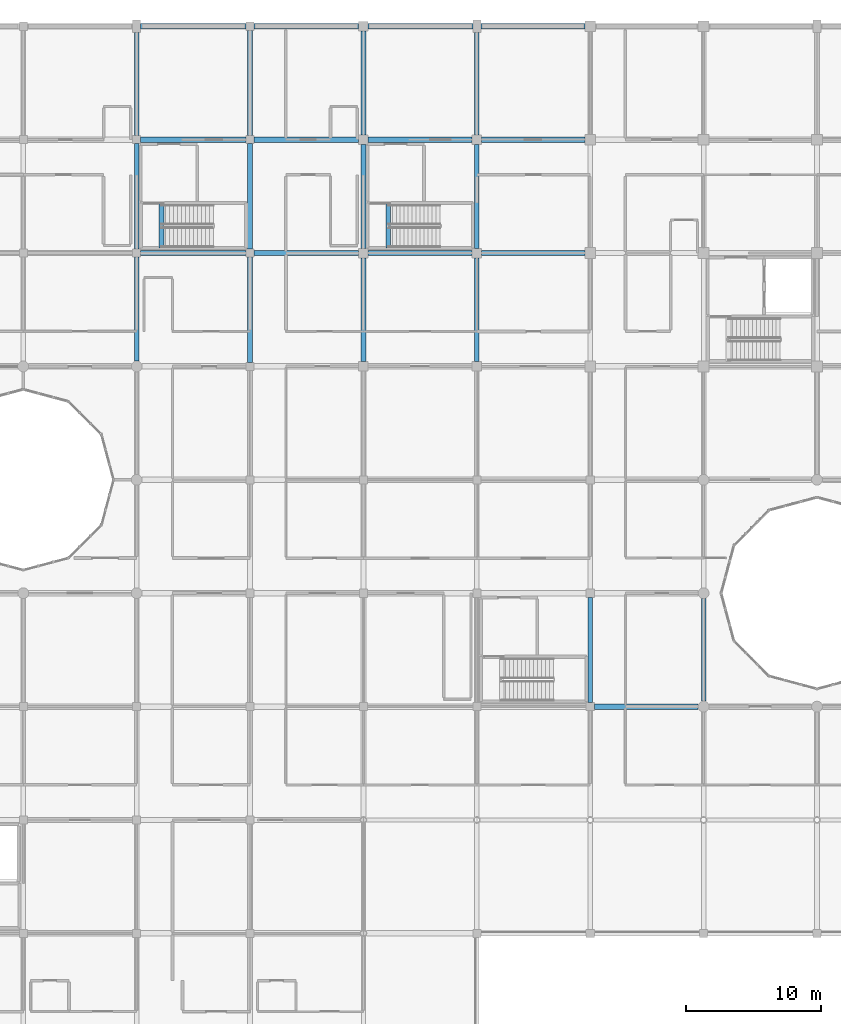
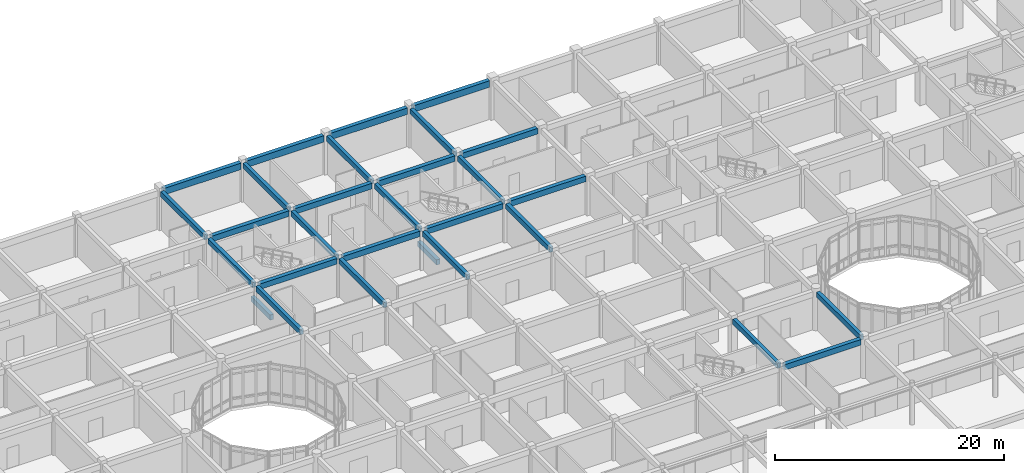
# One storey, part 43 of 144: 29 beams.
"""IFC4 building model written with IfcOpenShell, lengths in metres."""

from ifc_helpers import new_model, si_unit, direction, frame, origin, origin_2d, place, context, subcontext, project, spatial, rectangle, extrude, material, material_profile, profile_set, type_object, element, save


model = new_model("IFC4")

# Units and contexts
model_context = context("Model", 3, precision=1e-05, world=origin(), true_north=direction((0.0, 1.0)))
body_context = subcontext(model_context, "Body", "Model", "MODEL_VIEW")
ifc_project = project(units=[si_unit("LENGTHUNIT", "METRE"), si_unit("AREAUNIT", "SQUARE_METRE"), si_unit("VOLUMEUNIT", "CUBIC_METRE"), si_unit("PLANEANGLEUNIT", "RADIAN"), si_unit("MASSUNIT", "GRAM", prefix="KILO")], contexts=[model_context])

# Site, building, storey
site_placement = place(None, origin())
site = spatial("IfcSite", under=ifc_project, at=site_placement, CompositionType="ELEMENT")
building_placement = place(site_placement, origin())
building = spatial("IfcBuilding", under=site, at=building_placement, Name="Bramfleet General Hospital", CompositionType="ELEMENT")
storey_placement = place(building_placement, frame((0.0, 0.0, 4.800048828125)))
storey = spatial("IfcBuildingStorey", under=building, at=storey_placement, Name="L01", CompositionType="ELEMENT", Elevation=4.800048828125)

# Beams
ifc_material = material(Name="Concrete C35/45", Category="concrete")
ifc_material_profile_1 = material_profile(ifc_material, rectangle(XDim=0.35009765625, YDim=0.550048828125, at=origin_2d()), Name="RC BM 550x350")
ifc_profile_set_1 = profile_set([ifc_material_profile_1], Name="Concrete C35/45")
beam_type_1 = type_object("IfcBeamType", Name="BM-RC550", PredefinedType="BEAM", material=ifc_profile_set_1)
beam_1_placement = place(storey_placement, frame((33.60009765625, 92.800048828125, 3.875), z_axis=(0.0, 1.0, 0.0), x_axis=(-1.0, 0.0, 0.0)))
element("IfcBeam", 1, at=beam_1_placement, inside=storey, type_object=beam_type_1, Name="L01 Grid Beam Y 04-11", PredefinedType="BEAM", context=body_context, shape_type="SweptSolid", body=[
    extrude(rectangle(XDim=0.35009765625, YDim=0.550048828125, at=origin_2d()), origin(), (0.0, 0.0, 1.0), 7.699951171875),
])
beam_2_placement = place(storey_placement, frame((33.60009765625, 101.10009765625, 3.875), z_axis=(0.0, 1.0, 0.0), x_axis=(-1.0, 0.0, 0.0)))
element("IfcBeam", 2, at=beam_2_placement, inside=storey, type_object=beam_type_1, Name="L01 Grid Beam Y 04-12", PredefinedType="BEAM", context=body_context, shape_type="SweptSolid", body=[
    extrude(rectangle(XDim=0.35009765625, YDim=0.550048828125, at=origin_2d()), origin(), (0.0, 0.0, 1.0), 7.7998046875),
])
beam_3_placement = place(storey_placement, frame((33.60009765625, 109.5, 3.875), z_axis=(0.0, 1.0, 0.0), x_axis=(-1.0, 0.0, 0.0)))
element("IfcBeam", 3, at=beam_3_placement, inside=storey, type_object=beam_type_1, Name="L01 Grid Beam Y 04-13", PredefinedType="BEAM", context=body_context, shape_type="SweptSolid", body=[
    extrude(rectangle(XDim=0.35009765625, YDim=0.550048828125, at=origin_2d()), origin(), (0.0, 0.0, 1.0), 7.64990234375),
])
beam_4_placement = place(storey_placement, frame((42.0, 92.699951171875, 3.875), z_axis=(0.0, 1.0, 0.0), x_axis=(-1.0, 0.0, 0.0)))
element("IfcBeam", 4, at=beam_4_placement, inside=storey, type_object=beam_type_1, Name="L01 Grid Beam Y 05-11", PredefinedType="BEAM", context=body_context, shape_type="SweptSolid", body=[
    extrude(rectangle(XDim=0.35009765625, YDim=0.550048828125, at=origin_2d()), origin(), (0.0, 0.0, 1.0), 7.800048828125),
])
beam_5_placement = place(storey_placement, frame((42.0, 101.10009765625, 3.875), z_axis=(0.0, 1.0, 0.0), x_axis=(-1.0, 0.0, 0.0)))
element("IfcBeam", 5, at=beam_5_placement, inside=storey, type_object=beam_type_1, Name="L01 Grid Beam Y 05-12", PredefinedType="BEAM", context=body_context, shape_type="SweptSolid", body=[
    extrude(rectangle(XDim=0.35009765625, YDim=0.550048828125, at=origin_2d()), origin(), (0.0, 0.0, 1.0), 7.7998046875),
])
beam_6_placement = place(storey_placement, frame((42.0, 109.5, 3.875), z_axis=(0.0, 1.0, 0.0), x_axis=(-1.0, 0.0, 0.0)))
element("IfcBeam", 6, at=beam_6_placement, inside=storey, type_object=beam_type_1, Name="L01 Grid Beam Y 05-13", PredefinedType="BEAM", context=body_context, shape_type="SweptSolid", body=[
    extrude(rectangle(XDim=0.35009765625, YDim=0.550048828125, at=origin_2d()), origin(), (0.0, 0.0, 1.0), 7.800048828125),
])
beam_7_placement = place(storey_placement, frame((50.39990234375, 92.75, 3.875), z_axis=(0.0, 1.0, 0.0), x_axis=(-1.0, 0.0, 0.0)))
element("IfcBeam", 7, at=beam_7_placement, inside=storey, type_object=beam_type_1, Name="L01 Grid Beam Y 06-11", PredefinedType="BEAM", context=body_context, shape_type="SweptSolid", body=[
    extrude(rectangle(XDim=0.35009765625, YDim=0.550048828125, at=origin_2d()), origin(), (0.0, 0.0, 1.0), 7.699951171875),
])
beam_8_placement = place(storey_placement, frame((50.39990234375, 101.14990234375, 3.875), z_axis=(0.0, 1.0, 0.0), x_axis=(-1.0, 0.0, 0.0)))
element("IfcBeam", 8, at=beam_8_placement, inside=storey, type_object=beam_type_1, Name="L01 Grid Beam Y 06-12", PredefinedType="BEAM", context=body_context, shape_type="SweptSolid", body=[
    extrude(rectangle(XDim=0.35009765625, YDim=0.550048828125, at=origin_2d()), origin(), (0.0, 0.0, 1.0), 7.7001953125),
])
for number, where, z_axis, x_axis, name in (
    (9, (50.39990234375, 109.550048828125, 3.875), (0.0, 1.0, 0.0), (-1.0, 0.0, 0.0), "L01 Grid Beam Y 06-13"),
    (10, (58.800048828125, 92.75, 3.875), (0.0, 1.0, 0.0), (-1.0, 0.0, 0.0), "L01 Grid Beam Y 07-11"),
):
    element("IfcBeam", number, at=place(storey_placement, frame(where, z_axis=z_axis, x_axis=x_axis)), inside=storey, type_object=beam_type_1, Name=name, PredefinedType="BEAM", context=body_context, shape_type="SweptSolid", body=[
        extrude(rectangle(XDim=0.35009765625, YDim=0.550048828125, at=origin_2d()), origin(), (0.0, 0.0, 1.0), 7.699951171875),
    ])
beam_9_placement = place(storey_placement, frame((58.800048828125, 101.14990234375, 3.875), z_axis=(0.0, 1.0, 0.0), x_axis=(-1.0, 0.0, 0.0)))
element("IfcBeam", 11, at=beam_9_placement, inside=storey, type_object=beam_type_1, Name="L01 Grid Beam Y 07-12", PredefinedType="BEAM", context=body_context, shape_type="SweptSolid", body=[
    extrude(rectangle(XDim=0.35009765625, YDim=0.550048828125, at=origin_2d()), origin(), (0.0, 0.0, 1.0), 7.7001953125),
])
beam_10_placement = place(storey_placement, frame((58.800048828125, 109.550048828125, 3.875), z_axis=(0.0, 1.0, 0.0), x_axis=(-1.0, 0.0, 0.0)))
element("IfcBeam", 12, at=beam_10_placement, inside=storey, type_object=beam_type_1, Name="L01 Grid Beam Y 07-13", PredefinedType="BEAM", context=body_context, shape_type="SweptSolid", body=[
    extrude(rectangle(XDim=0.35009765625, YDim=0.550048828125, at=origin_2d()), origin(), (0.0, 0.0, 1.0), 7.599853515625),
])
beam_11_placement = place(storey_placement, frame((67.199951171875, 67.5, 3.875), z_axis=(0.0, 1.0, 0.0), x_axis=(-1.0, 0.0, 0.0)))
element("IfcBeam", 13, at=beam_11_placement, inside=storey, type_object=beam_type_1, Name="L01 Grid Beam Y 08-08", PredefinedType="BEAM", context=body_context, shape_type="SweptSolid", body=[
    extrude(rectangle(XDim=0.35009765625, YDim=0.550048828125, at=origin_2d()), origin(), (0.0, 0.0, 1.0), 7.800048828125),
])
beam_12_placement = place(storey_placement, frame((75.60009765625, 67.60009765625, 3.875), z_axis=(0.0, 1.0, 0.0), x_axis=(-1.0, 0.0, 0.0)))
element("IfcBeam", 14, at=beam_12_placement, inside=storey, type_object=beam_type_1, Name="L01 Grid Beam Y 09-08", PredefinedType="BEAM", context=body_context, shape_type="SweptSolid", body=[
    extrude(rectangle(XDim=0.35009765625, YDim=0.550048828125, at=origin_2d()), origin(), (0.0, 0.0, 1.0), 7.599853515625),
])
for number, where, z_axis, x_axis, name in (
    (15, (35.43994140625, 101.179931640625, -0.275146484375), (0.0, 1.0, 0.0), (-1.0, 0.0, 0.0), "L01 C8 Stairwell Trimmer Beam"),
    (16, (52.239990234375, 101.179931640625, -0.275146484375), (0.0, 1.0, 0.0), (-1.0, 0.0, 0.0), "L01 C14 Stairwell Trimmer Beam"),
):
    element("IfcBeam", number, at=place(storey_placement, frame(where, z_axis=z_axis, x_axis=x_axis)), inside=storey, type_object=beam_type_1, Name=name, PredefinedType="BEAM", context=body_context, shape_type="SweptSolid", body=[
        extrude(rectangle(XDim=0.35009765625, YDim=0.550048828125, at=origin_2d()), origin(), (0.0, 0.0, 1.0), 3.320068359375),
    ])
ifc_material_profile_2 = material_profile(ifc_material, rectangle(XDim=0.39990234375, YDim=0.60009765625, at=origin_2d()), Name="RC BM 600x400")
ifc_profile_set_2 = profile_set([ifc_material_profile_2], Name="Concrete C35/45")
beam_type_2 = type_object("IfcBeamType", Name="BM-RC600", PredefinedType="BEAM", material=ifc_profile_set_2)
for number, where, z_axis, x_axis, name in (
    (17, (33.89990234375, 100.800048828125, 3.849853515625), (1.0, 0.0, 0.0), (0.0, 1.0, 0.0), "L01 Grid Beam X 04-12"),
    (18, (33.89990234375, 109.199951171875, 3.849853515625), (1.0, 0.0, 0.0), (0.0, 1.0, 0.0), "L01 Grid Beam X 04-13"),
):
    element("IfcBeam", number, at=place(storey_placement, frame(where, z_axis=z_axis, x_axis=x_axis)), inside=storey, type_object=beam_type_2, Name=name, PredefinedType="BEAM", context=body_context, shape_type="SweptSolid", body=[
        extrude(rectangle(XDim=0.39990234375, YDim=0.60009765625, at=origin_2d()), origin(), (0.0, 0.0, 1.0), 7.800048828125),
    ])
for number, where, z_axis, x_axis, name in (
    (19, (42.300048828125, 100.800048828125, 3.849853515625), (1.0, 0.0, 0.0), (0.0, 1.0, 0.0), "L01 Grid Beam X 05-12"),
    (20, (42.300048828125, 109.199951171875, 3.849853515625), (1.0, 0.0, 0.0), (0.0, 1.0, 0.0), "L01 Grid Beam X 05-13"),
):
    element("IfcBeam", number, at=place(storey_placement, frame(where, z_axis=z_axis, x_axis=x_axis)), inside=storey, type_object=beam_type_2, Name=name, PredefinedType="BEAM", context=body_context, shape_type="SweptSolid", body=[
        extrude(rectangle(XDim=0.39990234375, YDim=0.60009765625, at=origin_2d()), origin(), (0.0, 0.0, 1.0), 7.75),
    ])
for number, where, z_axis, x_axis, name in (
    (21, (50.75, 100.800048828125, 3.849853515625), (1.0, 0.0, 0.0), (0.0, 1.0, 0.0), "L01 Grid Beam X 06-12"),
    (22, (50.75, 109.199951171875, 3.849853515625), (1.0, 0.0, 0.0), (0.0, 1.0, 0.0), "L01 Grid Beam X 06-13"),
):
    element("IfcBeam", number, at=place(storey_placement, frame(where, z_axis=z_axis, x_axis=x_axis)), inside=storey, type_object=beam_type_2, Name=name, PredefinedType="BEAM", context=body_context, shape_type="SweptSolid", body=[
        extrude(rectangle(XDim=0.39990234375, YDim=0.60009765625, at=origin_2d()), origin(), (0.0, 0.0, 1.0), 7.699951171875),
    ])
for number, where, z_axis, x_axis, name in (
    (23, (59.14990234375, 100.800048828125, 3.849853515625), (1.0, 0.0, 0.0), (0.0, 1.0, 0.0), "L01 Grid Beam X 07-12"),
    (24, (59.14990234375, 109.199951171875, 3.849853515625), (1.0, 0.0, 0.0), (0.0, 1.0, 0.0), "L01 Grid Beam X 07-13"),
):
    element("IfcBeam", number, at=place(storey_placement, frame(where, z_axis=z_axis, x_axis=x_axis)), inside=storey, type_object=beam_type_2, Name=name, PredefinedType="BEAM", context=body_context, shape_type="SweptSolid", body=[
        extrude(rectangle(XDim=0.39990234375, YDim=0.60009765625, at=origin_2d()), origin(), (0.0, 0.0, 1.0), 7.650146484375),
    ])
beam_13_placement = place(storey_placement, frame((67.5, 67.199951171875, 3.849853515625), z_axis=(1.0, 0.0, 0.0), x_axis=(0.0, 1.0, 0.0)))
element("IfcBeam", 25, at=beam_13_placement, inside=storey, type_object=beam_type_2, Name="L01 Grid Beam X 08-08", PredefinedType="BEAM", context=body_context, shape_type="SweptSolid", body=[
    extrude(rectangle(XDim=0.39990234375, YDim=0.60009765625, at=origin_2d()), origin(), (0.0, 0.0, 1.0), 7.699951171875),
])
ifc_material_profile_3 = material_profile(ifc_material, rectangle(XDim=0.39990234375, YDim=0.699951171875, at=origin_2d()), Name="RC SP 700x400")
ifc_profile_set_3 = profile_set([ifc_material_profile_3], Name="Concrete C35/45")
beam_type_3 = type_object("IfcBeamType", Name="BM-SP700", PredefinedType="SPANDREL", material=ifc_profile_set_3)
beam_14_placement = place(storey_placement, frame((33.89990234375, 117.60009765625, 3.800048828125), z_axis=(1.0, 0.0, 0.0), x_axis=(0.0, 1.0, 0.0)))
element("IfcBeam", 26, at=beam_14_placement, inside=storey, type_object=beam_type_3, Name="L01 Grid Beam X 04-14", PredefinedType="SPANDREL", context=body_context, shape_type="SweptSolid", body=[
    extrude(rectangle(XDim=0.39990234375, YDim=0.699951171875, at=origin_2d()), origin(), (0.0, 0.0, 1.0), 7.800048828125),
])
for number, where, z_axis, x_axis, name in (
    (27, (42.300048828125, 117.60009765625, 3.800048828125), (1.0, 0.0, 0.0), (0.0, 1.0, 0.0), "L01 Grid Beam X 05-14"),
    (28, (50.75, 117.60009765625, 3.800048828125), (1.0, 0.0, 0.0), (0.0, 1.0, 0.0), "L01 Grid Beam X 06-14"),
):
    element("IfcBeam", number, at=place(storey_placement, frame(where, z_axis=z_axis, x_axis=x_axis)), inside=storey, type_object=beam_type_3, Name=name, PredefinedType="SPANDREL", context=body_context, shape_type="SweptSolid", body=[
        extrude(rectangle(XDim=0.39990234375, YDim=0.699951171875, at=origin_2d()), origin(), (0.0, 0.0, 1.0), 7.75),
    ])
beam_15_placement = place(storey_placement, frame((59.10009765625, 117.60009765625, 3.800048828125), z_axis=(1.0, 0.0, 0.0), x_axis=(0.0, 1.0, 0.0)))
element("IfcBeam", 29, at=beam_15_placement, inside=storey, type_object=beam_type_3, Name="L01 Grid Beam X 07-14", PredefinedType="SPANDREL", context=body_context, shape_type="SweptSolid", body=[
    extrude(rectangle(XDim=0.39990234375, YDim=0.699951171875, at=origin_2d()), origin(), (0.0, 0.0, 1.0), 7.699951171875),
])

save(model, "model.ifc")
